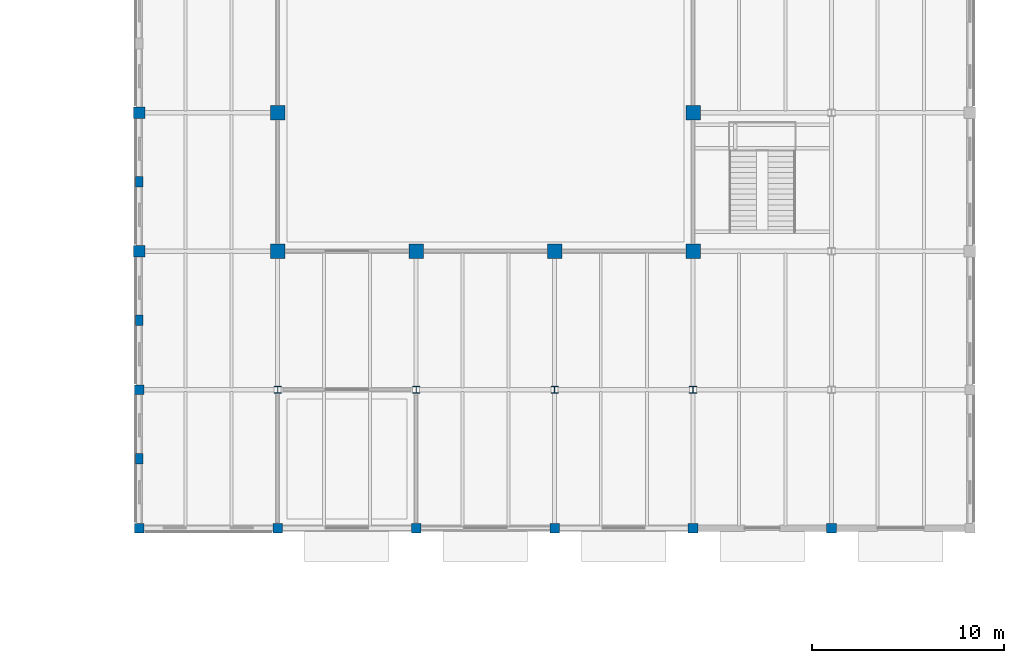
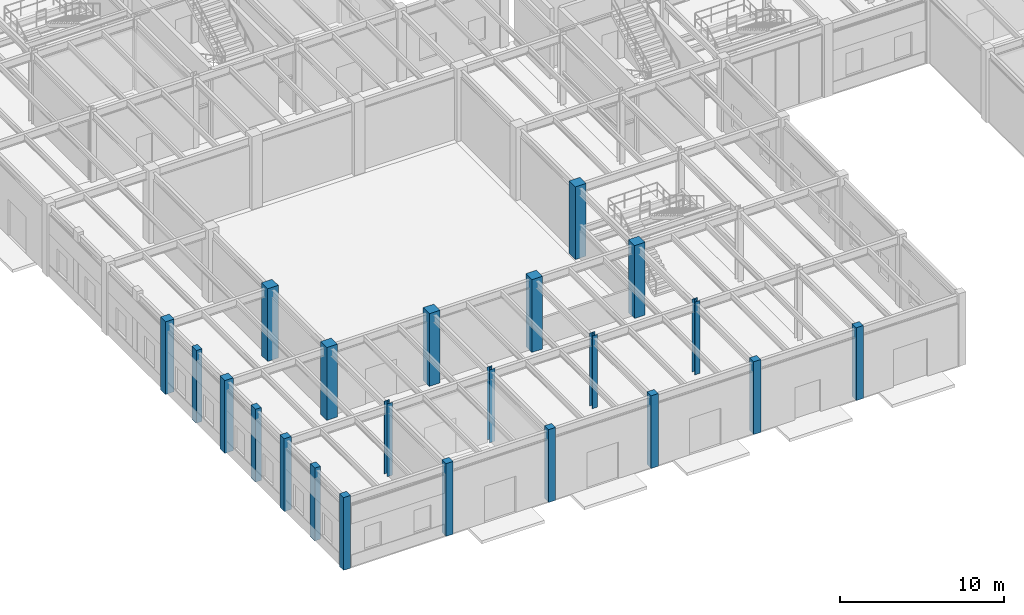
# One storey, part 1 of 97: 22 columns.
"""IFC4 building model written with IfcOpenShell, lengths in metres."""

from ifc_helpers import new_model, si_unit, direction, frame, origin, origin_2d, place, context, subcontext, project, spatial, rectangle, i_section, extrude, material, material_profile, profile_set, type_object, element, save


model = new_model("IFC4")

# Units and contexts
model_context = context("Model", 3, precision=1e-05, world=origin(), true_north=direction((0.0, 1.0)))
body_context = subcontext(model_context, "Body", "Model", "MODEL_VIEW")
ifc_project = project(units=[si_unit("LENGTHUNIT", "METRE"), si_unit("AREAUNIT", "SQUARE_METRE"), si_unit("VOLUMEUNIT", "CUBIC_METRE"), si_unit("PLANEANGLEUNIT", "RADIAN"), si_unit("MASSUNIT", "GRAM", prefix="KILO")], contexts=[model_context])

# Site, building, storey
site_placement = place(None, origin())
site = spatial("IfcSite", under=ifc_project, at=site_placement, CompositionType="ELEMENT")
building_placement = place(site_placement, origin())
building = spatial("IfcBuilding", under=site, at=building_placement, Name="Sillqori Civic Hall", CompositionType="ELEMENT")
storey_placement = place(building_placement, origin())
storey = spatial("IfcBuildingStorey", under=building, at=storey_placement, Name="L01", CompositionType="ELEMENT", Elevation=0.0)

# Columns
ifc_material_1 = material(Name="Concrete C35/45 (H35)", Category="concrete")
ifc_material_profile_1 = material_profile(ifc_material_1, rectangle(XDim=0.5, YDim=0.5, at=origin_2d()), Name="RC 500x500")
ifc_profile_set_1 = profile_set([ifc_material_profile_1], Name="Concrete C35/45 (H35)")
column_type_1 = type_object("IfcColumnType", Name="COL-RC500", PredefinedType="COLUMN", material=ifc_profile_set_1)
for number, where, z_axis, x_axis, name in (
    (1, (7.199951171875, 7.199951171875, 0.0), (0.0, 0.0, 1.0), (1.0, 0.0, 0.0), "L01 column 1-1"),
    (2, (7.199951171875, 14.39990234375, 0.0), (0.0, 0.0, 1.0), (1.0, 0.0, 0.0), "L01 column 1-2"),
    (3, (14.39990234375, 7.199951171875, 0.0), (0.0, 0.0, 1.0), (1.0, 0.0, 0.0), "L01 column 2-1"),
    (4, (21.60009765625, 7.199951171875, 0.0), (0.0, 0.0, 1.0), (1.0, 0.0, 0.0), "L01 column 3-1"),
    (5, (28.800048828125, 7.199951171875, 0.0), (0.0, 0.0, 1.0), (1.0, 0.0, 0.0), "L01 column 4-1"),
    (6, (36.0, 7.199951171875, 0.0), (0.0, 0.0, 1.0), (1.0, 0.0, 0.0), "L01 column 5-1"),
    (7, (43.199951171875, 7.199951171875, 0.0), (0.0, 0.0, 1.0), (1.0, 0.0, 0.0), "L01 column 6-1"),
):
    element("IfcColumn", number, at=place(storey_placement, frame(where, z_axis=z_axis, x_axis=x_axis)), inside=storey, type_object=column_type_1, Name=name, PredefinedType="COLUMN", context=body_context, shape_type="SweptSolid", body=[
        extrude(rectangle(XDim=0.5, YDim=0.5, at=origin_2d()), origin(), (0.0, 0.0, 1.0), 5.39990234375),
    ])
ifc_material_profile_2 = material_profile(ifc_material_1, rectangle(XDim=0.60009765625, YDim=0.60009765625, at=origin_2d()), Name="RC 600x600")
ifc_profile_set_2 = profile_set([ifc_material_profile_2], Name="Concrete C35/45 (H35)")
column_type_2 = type_object("IfcColumnType", Name="COL-RC600", PredefinedType="COLUMN", material=ifc_profile_set_2)
for number, where, z_axis, x_axis, name in (
    (8, (7.199951171875, 21.60009765625, 0.0), (0.0, 0.0, 1.0), (1.0, 0.0, 0.0), "L01 column 1-3"),
    (9, (7.199951171875, 28.800048828125, 0.0), (0.0, 0.0, 1.0), (1.0, 0.0, 0.0), "L01 column 1-4"),
):
    element("IfcColumn", number, at=place(storey_placement, frame(where, z_axis=z_axis, x_axis=x_axis)), inside=storey, type_object=column_type_2, Name=name, PredefinedType="COLUMN", context=body_context, shape_type="SweptSolid", body=[
        extrude(rectangle(XDim=0.60009765625, YDim=0.60009765625, at=origin_2d()), origin(), (0.0, 0.0, 1.0), 5.39990234375),
    ])
ifc_material_profile_3 = material_profile(ifc_material_1, rectangle(XDim=0.75, YDim=0.75, at=origin_2d()), Name="RC 750x750")
ifc_profile_set_3 = profile_set([ifc_material_profile_3], Name="Concrete C35/45 (H35)")
column_type_3 = type_object("IfcColumnType", Name="COL-RC750", PredefinedType="COLUMN", material=ifc_profile_set_3)
for number, where, z_axis, x_axis, name in (
    (10, (14.39990234375, 21.60009765625, 0.0), (0.0, 0.0, 1.0), (1.0, 0.0, 0.0), "L01 column 2-3"),
    (11, (14.39990234375, 28.800048828125, 0.0), (0.0, 0.0, 1.0), (1.0, 0.0, 0.0), "L01 column 2-4"),
    (12, (21.60009765625, 21.60009765625, 0.0), (0.0, 0.0, 1.0), (1.0, 0.0, 0.0), "L01 column 3-3"),
    (13, (28.800048828125, 21.60009765625, 0.0), (0.0, 0.0, 1.0), (1.0, 0.0, 0.0), "L01 column 4-3"),
    (14, (36.0, 21.60009765625, 0.0), (0.0, 0.0, 1.0), (1.0, 0.0, 0.0), "L01 column 5-3"),
    (15, (36.0, 28.800048828125, 0.0), (0.0, 0.0, 1.0), (1.0, 0.0, 0.0), "L01 column 5-4"),
):
    element("IfcColumn", number, at=place(storey_placement, frame(where, z_axis=z_axis, x_axis=x_axis)), inside=storey, type_object=column_type_3, Name=name, PredefinedType="COLUMN", context=body_context, shape_type="SweptSolid", body=[
        extrude(rectangle(XDim=0.75, YDim=0.75, at=origin_2d()), origin(), (0.0, 0.0, 1.0), 5.39990234375),
    ])
ifc_material_2 = material(Name="Steel ASTM A992", Category="steel")
ifc_material_profile_4 = material_profile(ifc_material_2, i_section(OverallWidth=0.37109375, OverallDepth=0.361083984375, WebThickness=0.012451171875, FlangeThickness=0.019775390625, FilletRadius=0.014892578125, at=origin_2d()), Name="W14X99")
ifc_profile_set_4 = profile_set([ifc_material_profile_4], Name="Steel ASTM A992")
column_type_4 = type_object("IfcColumnType", Name="COL-W14X99", PredefinedType="COLUMN", material=ifc_profile_set_4)
for number, where, z_axis, x_axis, name in (
    (16, (14.39990234375, 14.39990234375, 0.0), (0.0, 0.0, 1.0), (1.0, 0.0, 0.0), "L01 column 2-2"),
    (17, (21.60009765625, 14.39990234375, 0.0), (0.0, 0.0, 1.0), (1.0, 0.0, 0.0), "L01 column 3-2"),
    (18, (28.800048828125, 14.39990234375, 0.0), (0.0, 0.0, 1.0), (1.0, 0.0, 0.0), "L01 column 4-2"),
    (19, (36.0, 14.39990234375, 0.0), (0.0, 0.0, 1.0), (1.0, 0.0, 0.0), "L01 column 5-2"),
):
    element("IfcColumn", number, at=place(storey_placement, frame(where, z_axis=z_axis, x_axis=x_axis)), inside=storey, type_object=column_type_4, Name=name, PredefinedType="COLUMN", context=body_context, shape_type="SweptSolid", body=[
        extrude(i_section(OverallWidth=0.37109375, OverallDepth=0.361083984375, WebThickness=0.012451171875, FlangeThickness=0.019775390625, FilletRadius=0.014892578125, at=origin_2d()), origin(), (0.0, 0.0, 1.0), 5.39990234375),
    ])
ifc_material_profile_5 = material_profile(ifc_material_1, rectangle(XDim=0.39990234375, YDim=0.550048828125, at=origin_2d()), Name="RC 400x550")
ifc_profile_set_5 = profile_set([ifc_material_profile_5], Name="Concrete C35/45 (H35)")
column_type_5 = type_object("IfcColumnType", Name="PIL-RC400", PredefinedType="PILASTER", material=ifc_profile_set_5)
for number, where, z_axis, x_axis, name in (
    (20, (7.199951171875, 10.800048828125, 0.0), (0.0, 0.0, 1.0), (1.0, 0.0, 0.0), "L01 facade pilaster 01"),
    (21, (7.199951171875, 18.0, 0.0), (0.0, 0.0, 1.0), (1.0, 0.0, 0.0), "L01 facade pilaster 02"),
    (22, (7.199951171875, 25.199951171875, 0.0), (0.0, 0.0, 1.0), (1.0, 0.0, 0.0), "L01 facade pilaster 03"),
):
    element("IfcColumn", number, at=place(storey_placement, frame(where, z_axis=z_axis, x_axis=x_axis)), inside=storey, type_object=column_type_5, Name=name, PredefinedType="PILASTER", context=body_context, shape_type="SweptSolid", body=[
        extrude(rectangle(XDim=0.39990234375, YDim=0.550048828125, at=origin_2d()), origin(), (0.0, 0.0, 1.0), 5.39990234375),
    ])

save(model, "model.ifc")
